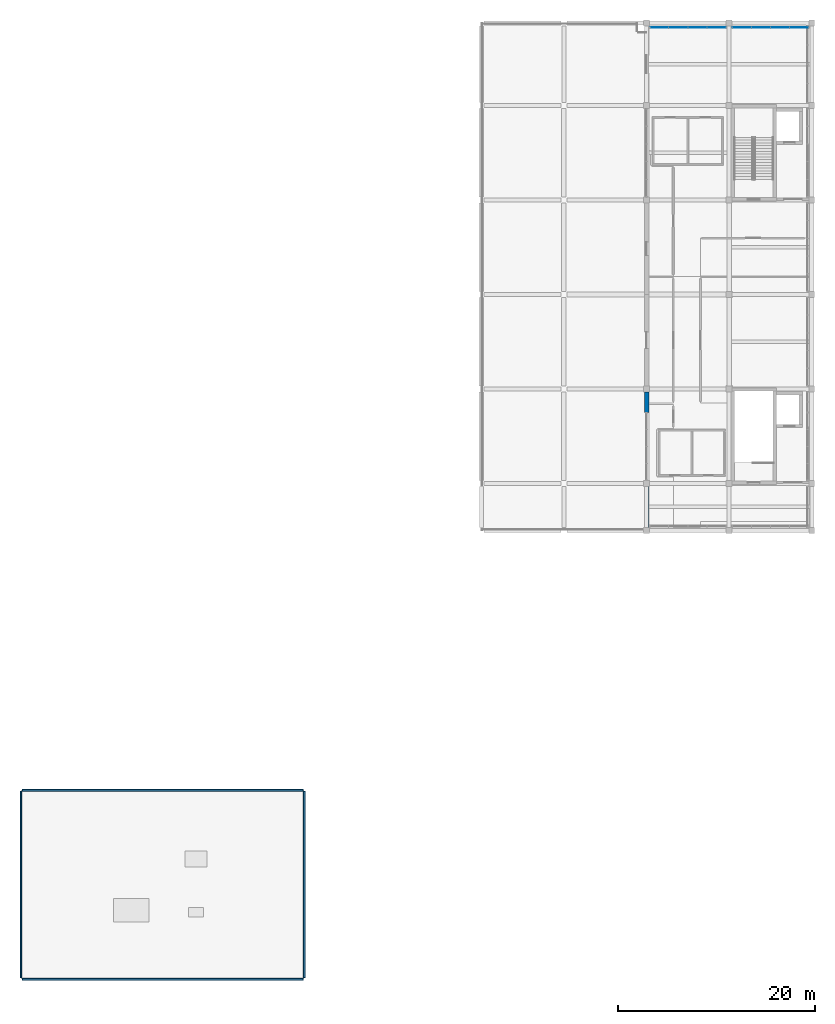
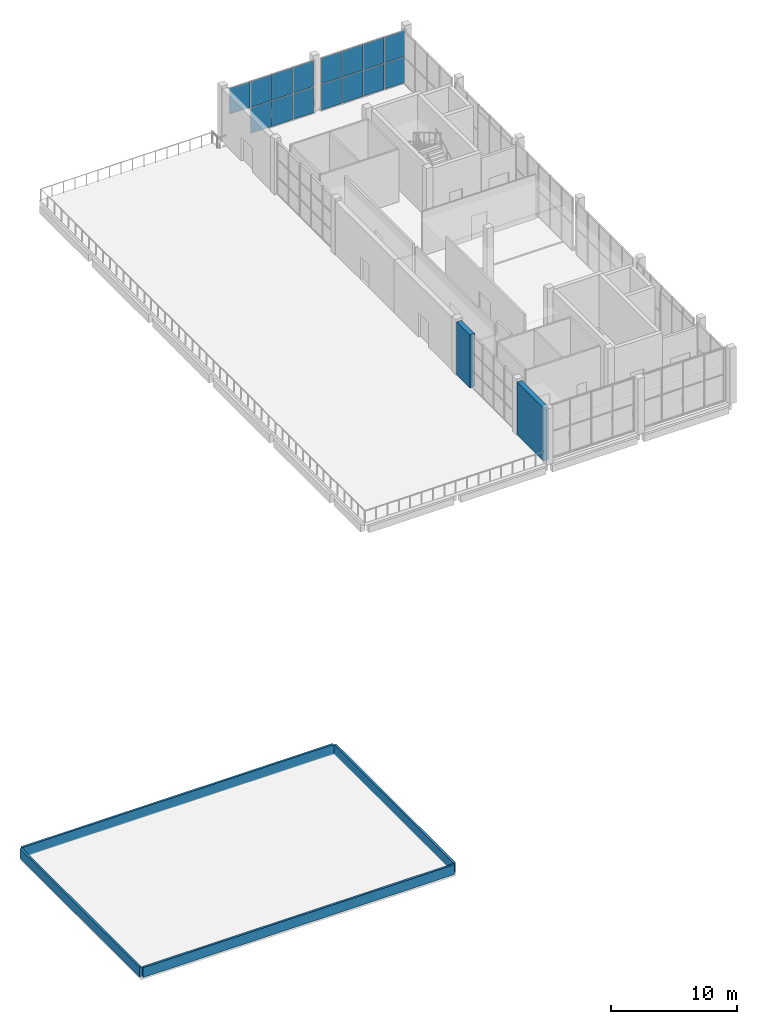
# One storey, part 10 of 15: 15 plates, 6 walls, 2 elements without a shape of their own.
"""IFC4 building model written with IfcOpenShell, lengths in metres."""

from ifc_helpers import new_model, si_unit, direction, frame, frame_2d, origin, origin_2d, place, context, subcontext, project, spatial, rectangle, extrude, material, layer, layer_set, type_object, element, aggregate, save


model = new_model("IFC4")

# Units and contexts
model_context = context("Model", 3, precision=1e-05, world=origin(), true_north=direction((0.0, 1.0)))
body_context = subcontext(model_context, "Body", "Model", "MODEL_VIEW")
ifc_project = project(units=[si_unit("LENGTHUNIT", "METRE"), si_unit("AREAUNIT", "SQUARE_METRE"), si_unit("VOLUMEUNIT", "CUBIC_METRE"), si_unit("PLANEANGLEUNIT", "RADIAN"), si_unit("MASSUNIT", "GRAM", prefix="KILO")], contexts=[model_context])

# Site, building, storey
site_placement = place(None, origin())
site = spatial("IfcSite", under=ifc_project, at=site_placement, CompositionType="ELEMENT")
building_placement = place(site_placement, origin())
building = spatial("IfcBuilding", under=site, at=building_placement, Name="Shalvenor Court Art Gallery", CompositionType="ELEMENT")
storey_placement = place(building_placement, frame((0.0, 0.0, 27.0)))
storey = spatial("IfcBuildingStorey", under=building, at=storey_placement, Name="L05", CompositionType="ELEMENT", Elevation=27.0)

# Curtain wall, plates
ifc_material_1 = material(Name="Anodised aluminium and low-iron glass curtain wall", Category="aluminium")
curtain_wall_type = type_object("IfcCurtainWallType", Name="CW-CLR-4-78", PredefinedType="USERDEFINED", material=ifc_material_1)
curtain_wall_1_placement = place(storey_placement, origin())
curtain_wall_1 = element("IfcCurtainWall", 1, at=curtain_wall_1_placement, inside=storey, type_object=curtain_wall_type, Name="L05 Dark Clerestory Curtain Wall CW-L05-040", ObjectType="CURTAIN WALL", PredefinedType="USERDEFINED")
ifc_material_2 = material(Name="Dark bronze fritted clerestory glazing IGU", Category="glass")
ifc_layer_1 = layer(ifc_material_2, 0.035888671875, Name="Dark bronze fritted clerestory glazing IGU")
ifc_layer_set_1 = layer_set([ifc_layer_1], Name="Dark bronze fritted clerestory glazing IGU")
plate_type = type_object("IfcPlateType", Name="CWP-03", PredefinedType="CURTAIN_PANEL", material=ifc_layer_set_1)
plate_1_placement = place(storey_placement, frame((160.889892578125, 96.75, 2.59765625), z_axis=(0.0, 0.0, 1.0), x_axis=(1.0, 0.0, 0.0)))
plate_1 = element("IfcPlate", 2, at=plate_1_placement, type_object=plate_type, Name="CW-CLR-4-78 panel 1.2", PredefinedType="CURTAIN_PANEL", context=body_context, shape_type="SweptSolid", body=[
    extrude(rectangle(XDim=1.860107421875, YDim=0.035888671875, at=origin_2d()), origin(), (0.0, 0.0, 1.0), 2.487548828125),
])
plate_2_placement = place(storey_placement, frame((162.824951171875, 96.75, 0.05517578125), z_axis=(0.0, 0.0, 1.0), x_axis=(1.0, 0.0, 0.0)))
plate_2 = element("IfcPlate", 3, at=plate_2_placement, type_object=plate_type, Name="CW-CLR-4-78 panel 2.1", PredefinedType="CURTAIN_PANEL", context=body_context, shape_type="SweptSolid", body=[
    extrude(rectangle(XDim=1.889892578125, YDim=0.035888671875, at=origin_2d()), origin(), (0.0, 0.0, 1.0), 2.487548828125),
])
plate_3_placement = place(storey_placement, frame((162.824951171875, 96.75, 2.59765625), z_axis=(0.0, 0.0, 1.0), x_axis=(1.0, 0.0, 0.0)))
plate_3 = element("IfcPlate", 4, at=plate_3_placement, type_object=plate_type, Name="CW-CLR-4-78 panel 2.2", PredefinedType="CURTAIN_PANEL", context=body_context, shape_type="SweptSolid", body=[
    extrude(rectangle(XDim=1.889892578125, YDim=0.035888671875, at=origin_2d()), origin(), (0.0, 0.0, 1.0), 2.487548828125),
])
plate_4_placement = place(storey_placement, frame((164.77490234375, 96.75, 0.05517578125), z_axis=(0.0, 0.0, 1.0), x_axis=(1.0, 0.0, 0.0)))
plate_4 = element("IfcPlate", 5, at=plate_4_placement, type_object=plate_type, Name="CW-CLR-4-78 panel 3.1", PredefinedType="CURTAIN_PANEL", context=body_context, shape_type="SweptSolid", body=[
    extrude(rectangle(XDim=1.889892578125, YDim=0.035888671875, at=origin_2d()), origin(), (0.0, 0.0, 1.0), 2.487548828125),
])
plate_5_placement = place(storey_placement, frame((164.77490234375, 96.75, 2.59765625), z_axis=(0.0, 0.0, 1.0), x_axis=(1.0, 0.0, 0.0)))
plate_5 = element("IfcPlate", 6, at=plate_5_placement, type_object=plate_type, Name="CW-CLR-4-78 panel 3.2", PredefinedType="CURTAIN_PANEL", context=body_context, shape_type="SweptSolid", body=[
    extrude(rectangle(XDim=1.889892578125, YDim=0.035888671875, at=origin_2d()), origin(), (0.0, 0.0, 1.0), 2.487548828125),
])
plate_6_placement = place(storey_placement, frame((166.7099609375, 96.75, 0.05517578125), z_axis=(0.0, 0.0, 1.0), x_axis=(1.0, 0.0, 0.0)))
plate_6 = element("IfcPlate", 7, at=plate_6_placement, type_object=plate_type, Name="CW-CLR-4-78 panel 4.1", PredefinedType="CURTAIN_PANEL", context=body_context, shape_type="SweptSolid", body=[
    extrude(rectangle(XDim=1.860107421875, YDim=0.035888671875, at=origin_2d()), origin(), (0.0, 0.0, 1.0), 2.487548828125),
])
plate_7_placement = place(storey_placement, frame((166.7099609375, 96.75, 2.59765625), z_axis=(0.0, 0.0, 1.0), x_axis=(1.0, 0.0, 0.0)))
plate_7 = element("IfcPlate", 8, at=plate_7_placement, type_object=plate_type, Name="CW-CLR-4-78 panel 4.2", PredefinedType="CURTAIN_PANEL", context=body_context, shape_type="SweptSolid", body=[
    extrude(rectangle(XDim=1.860107421875, YDim=0.035888671875, at=origin_2d()), origin(), (0.0, 0.0, 1.0), 2.487548828125),
])
aggregate(curtain_wall_1, [plate_1, plate_2, plate_3, plate_4, plate_5, plate_6, plate_7])

curtain_wall_2_placement = place(storey_placement, origin())
curtain_wall_2 = element("IfcCurtainWall", 9, at=curtain_wall_2_placement, inside=storey, type_object=curtain_wall_type, Name="L05 Dark Clerestory Curtain Wall CW-L05-041", ObjectType="CURTAIN WALL", PredefinedType="USERDEFINED")
plate_8_placement = place(storey_placement, frame((169.2900390625, 96.75, 0.05517578125), z_axis=(0.0, 0.0, 1.0), x_axis=(1.0, 0.0, 0.0)))
plate_8 = element("IfcPlate", 10, at=plate_8_placement, type_object=plate_type, Name="CW-CLR-4-78 panel 1.1", PredefinedType="CURTAIN_PANEL", context=body_context, shape_type="SweptSolid", body=[
    extrude(rectangle(XDim=1.860107421875, YDim=0.035888671875, at=origin_2d()), origin(), (0.0, 0.0, 1.0), 2.487548828125),
])
plate_9_placement = place(storey_placement, frame((169.2900390625, 96.75, 2.59765625), z_axis=(0.0, 0.0, 1.0), x_axis=(1.0, 0.0, 0.0)))
plate_9 = element("IfcPlate", 11, at=plate_9_placement, type_object=plate_type, Name="CW-CLR-4-78 panel 1.2", PredefinedType="CURTAIN_PANEL", context=body_context, shape_type="SweptSolid", body=[
    extrude(rectangle(XDim=1.860107421875, YDim=0.035888671875, at=origin_2d()), origin(), (0.0, 0.0, 1.0), 2.487548828125),
])
plate_10_placement = place(storey_placement, frame((171.22509765625, 96.75, 0.05517578125), z_axis=(0.0, 0.0, 1.0), x_axis=(1.0, 0.0, 0.0)))
plate_10 = element("IfcPlate", 12, at=plate_10_placement, type_object=plate_type, Name="CW-CLR-4-78 panel 2.1", PredefinedType="CURTAIN_PANEL", context=body_context, shape_type="SweptSolid", body=[
    extrude(rectangle(XDim=1.889892578125, YDim=0.035888671875, at=origin_2d()), origin(), (0.0, 0.0, 1.0), 2.487548828125),
])
plate_11_placement = place(storey_placement, frame((171.22509765625, 96.75, 2.59765625), z_axis=(0.0, 0.0, 1.0), x_axis=(1.0, 0.0, 0.0)))
plate_11 = element("IfcPlate", 13, at=plate_11_placement, type_object=plate_type, Name="CW-CLR-4-78 panel 2.2", PredefinedType="CURTAIN_PANEL", context=body_context, shape_type="SweptSolid", body=[
    extrude(rectangle(XDim=1.889892578125, YDim=0.035888671875, at=origin_2d()), origin(), (0.0, 0.0, 1.0), 2.487548828125),
])
plate_12_placement = place(storey_placement, frame((173.175048828125, 96.75, 0.05517578125), z_axis=(0.0, 0.0, 1.0), x_axis=(1.0, 0.0, 0.0)))
plate_12 = element("IfcPlate", 14, at=plate_12_placement, type_object=plate_type, Name="CW-CLR-4-78 panel 3.1", PredefinedType="CURTAIN_PANEL", context=body_context, shape_type="SweptSolid", body=[
    extrude(rectangle(XDim=1.889892578125, YDim=0.035888671875, at=origin_2d()), origin(), (0.0, 0.0, 1.0), 2.487548828125),
])
plate_13_placement = place(storey_placement, frame((173.175048828125, 96.75, 2.59765625), z_axis=(0.0, 0.0, 1.0), x_axis=(1.0, 0.0, 0.0)))
plate_13 = element("IfcPlate", 15, at=plate_13_placement, type_object=plate_type, Name="CW-CLR-4-78 panel 3.2", PredefinedType="CURTAIN_PANEL", context=body_context, shape_type="SweptSolid", body=[
    extrude(rectangle(XDim=1.889892578125, YDim=0.035888671875, at=origin_2d()), origin(), (0.0, 0.0, 1.0), 2.487548828125),
])
plate_14_placement = place(storey_placement, frame((175.110107421875, 96.75, 0.05517578125), z_axis=(0.0, 0.0, 1.0), x_axis=(1.0, 0.0, 0.0)))
plate_14 = element("IfcPlate", 16, at=plate_14_placement, type_object=plate_type, Name="CW-CLR-4-78 panel 4.1", PredefinedType="CURTAIN_PANEL", context=body_context, shape_type="SweptSolid", body=[
    extrude(rectangle(XDim=1.860107421875, YDim=0.035888671875, at=origin_2d()), origin(), (0.0, 0.0, 1.0), 2.487548828125),
])
plate_15_placement = place(storey_placement, frame((175.110107421875, 96.75, 2.59765625), z_axis=(0.0, 0.0, 1.0), x_axis=(1.0, 0.0, 0.0)))
plate_15 = element("IfcPlate", 17, at=plate_15_placement, type_object=plate_type, Name="CW-CLR-4-78 panel 4.2", PredefinedType="CURTAIN_PANEL", context=body_context, shape_type="SweptSolid", body=[
    extrude(rectangle(XDim=1.860107421875, YDim=0.035888671875, at=origin_2d()), origin(), (0.0, 0.0, 1.0), 2.487548828125),
])
aggregate(curtain_wall_2, [plate_8, plate_9, plate_10, plate_11, plate_12, plate_13, plate_14, plate_15])

# Walls
ifc_material_3 = material(Name="Concrete C40/50", Category="concrete")
ifc_layer_2 = layer(ifc_material_3, 0.4599609375, Name="Concrete C40/50")
ifc_layer_set_2 = layer_set([ifc_layer_2], Name="Concrete C40/50")
wall_type_1 = type_object("IfcWallType", Name="EW-01", PredefinedType="SOLIDWALL", material=ifc_layer_set_2)
wall_1_placement = place(storey_placement, frame((159.60009765625, 45.89990234375, 0.0), z_axis=(0.0, 0.0, 1.0), x_axis=(0.0, 1.0, 0.0)))
element("IfcWall", 18, at=wall_1_placement, inside=storey, type_object=wall_type_1, Name="L05 V1 Exterior Wall WL-L05-0098", PredefinedType="SOLIDWALL", context=body_context, shape_type="SweptSolid", body=[
    extrude(rectangle(XDim=4.2001953125, YDim=0.4599609375, at=frame_2d((2.10009765625, 0.0))), origin(), (0.0, 0.0, 1.0), 5.139892578125),
])
wall_2_placement = place(storey_placement, frame((159.60009765625, 57.60009765625, 0.0), z_axis=(0.0, 0.0, 1.0), x_axis=(0.0, 1.0, 0.0)))
element("IfcWall", 19, at=wall_2_placement, inside=storey, type_object=wall_type_1, Name="L05 V1 Exterior Wall WL-L05-0099", PredefinedType="SOLIDWALL", context=body_context, shape_type="SweptSolid", body=[
    extrude(rectangle(XDim=2.099853515625, YDim=0.4599609375, at=frame_2d((1.0498046875, 0.0))), origin(), (0.0, 0.0, 1.0), 5.139892578125),
])
ifc_material_4 = material(Name="Precast concrete C40/50", Category="concrete")
ifc_layer_3 = layer(ifc_material_4, 0.18994140625, Name="Precast concrete C40/50")
ifc_layer_set_3 = layer_set([ifc_layer_3], Name="Precast concrete C40/50")
wall_type_2 = type_object("IfcWallType", Name="PW-02", PredefinedType="PARAPET", material=ifc_layer_set_3)
wall_3_placement = place(storey_placement, frame((124.800048828125, 0.1201171875, 0.0), z_axis=(0.0, 0.0, 1.0), x_axis=(0.0, 1.0, 0.0)))
element("IfcWall", 20, at=wall_3_placement, inside=storey, type_object=wall_type_2, Name="PAR-0335 L05 Roof Parapet", PredefinedType="PARAPET", context=body_context, shape_type="SweptSolid", body=[
    extrude(rectangle(XDim=18.9599609375, YDim=0.18994140625, at=frame_2d((9.47998046875, 0.0))), origin(), (0.0, 0.0, 1.0), 0.949951171875),
])
wall_4_placement = place(storey_placement, frame((124.679931640625, 19.199951171875, 0.0), z_axis=(0.0, 0.0, 1.0), x_axis=(-1.0, 0.0, 0.0)))
element("IfcWall", 21, at=wall_4_placement, inside=storey, type_object=wall_type_2, Name="PAR-0336 L05 Roof Parapet", PredefinedType="PARAPET", context=body_context, shape_type="SweptSolid", body=[
    extrude(rectangle(XDim=28.559814453125, YDim=0.18994140625, at=frame_2d((14.27978515625, 0.0))), origin(), (0.0, 0.0, 1.0), 0.949951171875),
])
wall_5_placement = place(storey_placement, frame((96.0, 19.080078125, 0.0), z_axis=(0.0, 0.0, 1.0), x_axis=(0.0, -1.0, 0.0)))
element("IfcWall", 22, at=wall_5_placement, inside=storey, type_object=wall_type_2, Name="PAR-0337 L05 Roof Parapet", PredefinedType="PARAPET", context=body_context, shape_type="SweptSolid", body=[
    extrude(rectangle(XDim=18.9599609375, YDim=0.18994140625, at=frame_2d((9.47998046875, 0.0))), origin(), (0.0, 0.0, 1.0), 0.949951171875),
])
wall_6_placement = place(storey_placement, frame((96.1201171875, 0.0, 0.0), z_axis=(0.0, 0.0, 1.0), x_axis=(1.0, 0.0, 0.0)))
element("IfcWall", 23, at=wall_6_placement, inside=storey, type_object=wall_type_2, Name="PAR-0338 L05 Roof Parapet", PredefinedType="PARAPET", context=body_context, shape_type="SweptSolid", body=[
    extrude(rectangle(XDim=28.559814453125, YDim=0.18994140625, at=frame_2d((14.27978515625, 0.0))), origin(), (0.0, 0.0, 1.0), 0.949951171875),
])

save(model, "model.ifc")
